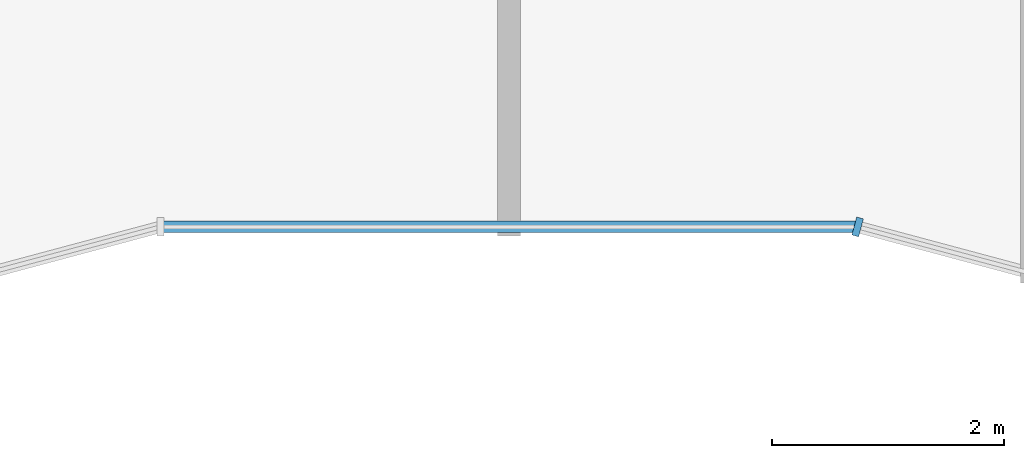
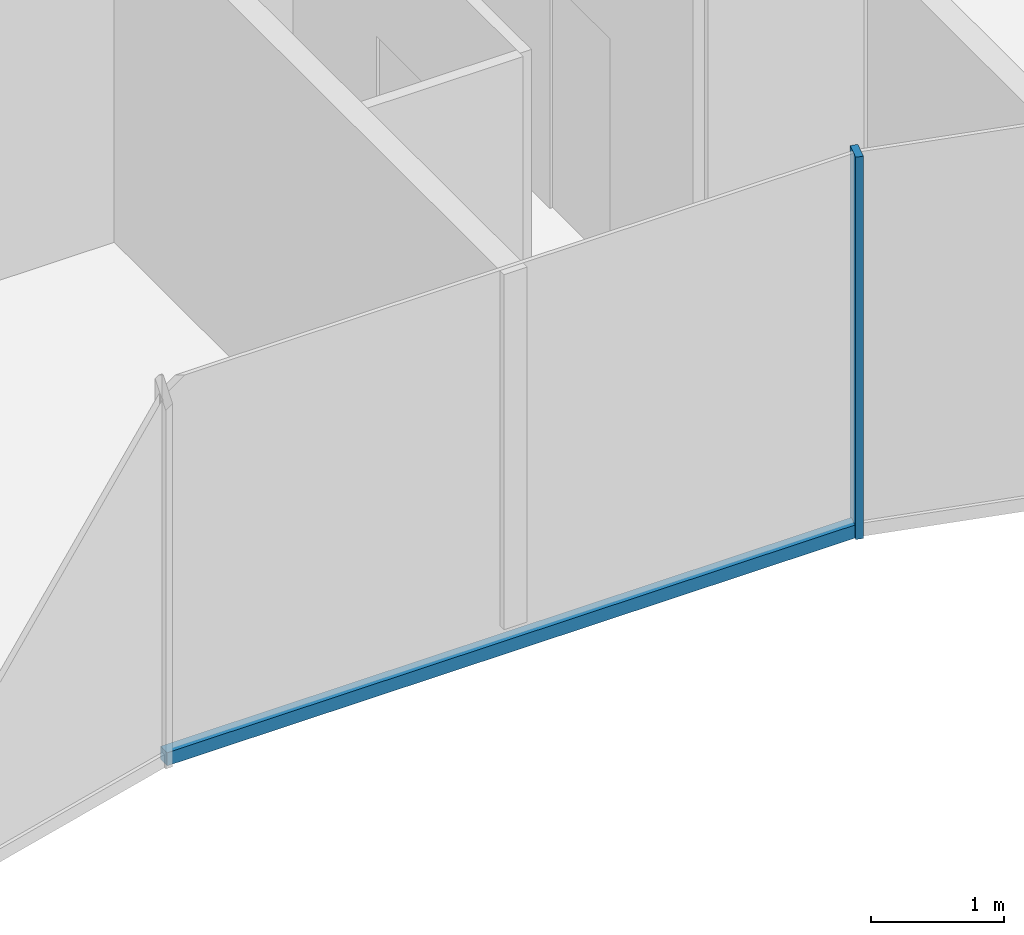
# One storey, part 3 of 10: 2 members, 2 elements without a shape of their own.
"""IFC4 building model written with IfcOpenShell, lengths in metres."""

import ifcopenshell
import ifcopenshell.guid

model = None  # the IFC model being written
_history = None  # IfcOwnerHistory: only IFC2X3 demands one
_inside = {}  # id of a spatial element -> (the spatial element, [elements in it])
_under = {}  # id of a project, library or spatial element -> (it, [spatial elements below it])
_declared = {}  # id of a project -> (the project, [libraries it declares])
_typed = {}  # id of a type object -> (the type object, [elements of that type])
_made_of = {}  # id of a material, layer set ... -> (it, [elements and type objects made of it])


def new_model(schema):
    """Start an empty IFC model of exactly this schema.

    Asked for "IFC4X3", IfcOpenShell would pick the latest addendum, in which some entities
    have other attributes; the version numbers below select the first issue.
    IFC2X3 requires an IfcOwnerHistory on every rooted entity: one is made here for all.
    """
    global model, _history
    if schema == "IFC4X3":
        model = ifcopenshell.file(schema_version=(4, 3, 0, 0))
    else:
        model = ifcopenshell.file(schema=schema)
    _inside.clear()
    _under.clear()
    _declared.clear()
    _typed.clear()
    _made_of.clear()
    _history = None
    if model.schema == "IFC2X3":
        org = make("IfcOrganization", Name="unknown")
        user = make(
            "IfcPersonAndOrganization",
            ThePerson=make("IfcPerson", FamilyName="unknown"),
            TheOrganization=org,
        )
        app = make(
            "IfcApplication",
            ApplicationDeveloper=org,
            Version="unknown",
            ApplicationFullName="unknown",
            ApplicationIdentifier="unknown",
        )
        _history = make(
            "IfcOwnerHistory",
            OwningUser=user,
            OwningApplication=app,
            ChangeAction="ADDED",
            CreationDate=0,
        )
    return model


def make(cls, **values):
    """One entity of the class cls with the attributes given. An attribute that is None is left unset."""
    return model.create_entity(
        cls, **{name: value for name, value in values.items() if value is not None}
    )


def rooted(cls, **values):
    """An entity with a GlobalId (a new one), such as an element, a storey or a relation."""
    return make(cls, GlobalId=ifcopenshell.guid.new(), OwnerHistory=_history, **values)


def si_unit(unit_type, name, prefix=None):
    """IfcSIUnit, for example si_unit("LENGTHUNIT", "METRE", prefix="MILLI")."""
    return make("IfcSIUnit", UnitType=unit_type, Prefix=prefix, Name=name)


def assignment(units):
    """IfcUnitAssignment: the units of a project."""
    return None if units is None else make("IfcUnitAssignment", Units=units)


def point(xyz):
    """IfcCartesianPoint."""
    return None if xyz is None else make("IfcCartesianPoint", Coordinates=xyz)


def direction(xyz):
    """IfcDirection."""
    return None if xyz is None else make("IfcDirection", DirectionRatios=xyz)


def frame(location, z_axis=None, x_axis=None):
    """IfcAxis2Placement3D, a coordinate frame: its origin and axes. An axis left out is left unset."""
    return make(
        "IfcAxis2Placement3D",
        Location=point(location),
        Axis=direction(z_axis),
        RefDirection=direction(x_axis),
    )


def frame_2d(location, x_axis=None):
    """IfcAxis2Placement2D, a coordinate frame in the plane: its origin and x axis."""
    return make(
        "IfcAxis2Placement2D", Location=point(location), RefDirection=direction(x_axis)
    )


def origin():
    """The frame at (0, 0, 0) with its axes left unset."""
    return frame((0.0, 0.0, 0.0))


def origin_2d():
    """The frame at (0, 0) in the plane with its x axis left unset."""
    return frame_2d((0.0, 0.0))


def place(relative_to, where):
    """IfcLocalPlacement: puts the frame where relative to a parent placement (None: the world)."""
    return make(
        "IfcLocalPlacement", PlacementRelTo=relative_to, RelativePlacement=where
    )


def context(
    kind, dimensions, precision=None, world=None, true_north=None, identifier=None
):
    """IfcGeometricRepresentationContext, for example the 3D "Model" context."""
    return make(
        "IfcGeometricRepresentationContext",
        ContextIdentifier=identifier,
        ContextType=kind,
        CoordinateSpaceDimension=dimensions,
        Precision=precision,
        WorldCoordinateSystem=world,
        TrueNorth=true_north,
    )


def subcontext(parent, identifier, kind, view, scale=None):
    """IfcGeometricRepresentationSubContext, for example "Body" below "Model"."""
    return make(
        "IfcGeometricRepresentationSubContext",
        ContextIdentifier=identifier,
        ContextType=kind,
        ParentContext=parent,
        TargetScale=scale,
        TargetView=view,
    )


def project(units=None, contexts=None):
    """IfcProject with its units and contexts."""
    return rooted(
        "IfcProject",
        Name="project",
        RepresentationContexts=contexts,
        UnitsInContext=assignment(units),
    )


def spatial(cls, under=None, at=None, **own):
    """A site, building, storey or space (cls), placed at a placement, below another one or the project."""
    s = rooted(cls, ObjectPlacement=at, **own)
    if under is not None:
        _under.setdefault(under.id(), (under, []))[1].append(s)
    return s


def profile(cls, at=None, kind="AREA", **sizes):
    """A parametric profile (cls). Its sizes go by their IFC names, for example OverallWidth=200.0."""
    return make(cls, ProfileType=kind, Position=at, **sizes)


def rectangle(**sizes):
    """IfcRectangleProfileDef."""
    return profile("IfcRectangleProfileDef", **sizes)


def extrude(swept, where, along, depth):
    """IfcExtrudedAreaSolid: the profile swept, set in the frame where, extruded along a direction by depth."""
    return make(
        "IfcExtrudedAreaSolid",
        SweptArea=swept,
        Position=where,
        ExtrudedDirection=direction(along),
        Depth=depth,
    )


def shape(context_of_items, identifier, shape_type, items):
    """IfcShapeRepresentation: the items that make up one representation, for example the "Body"."""
    return make(
        "IfcShapeRepresentation",
        ContextOfItems=context_of_items,
        RepresentationIdentifier=identifier,
        RepresentationType=shape_type,
        Items=items,
    )


def material(Name=None, Category=None):
    """IfcMaterial."""
    return make("IfcMaterial", Name=Name, Category=Category)


def layer(
    of_material, thickness, ventilated=None, Name=None, Category=None, Priority=None
):
    """IfcMaterialLayer: one layer of a wall or slab, of a material (None: an air gap)."""
    return make(
        "IfcMaterialLayer",
        Material=of_material,
        LayerThickness=thickness,
        IsVentilated=ventilated,
        Name=Name,
        Category=Category,
        Priority=Priority,
    )


def layer_set(layers, Name=None):
    """IfcMaterialLayerSet."""
    return make("IfcMaterialLayerSet", MaterialLayers=layers, LayerSetName=Name)


def material_profile(
    of_material, cross_section, Name=None, Category=None, Priority=None
):
    """IfcMaterialProfile: a cross section and its material."""
    return make(
        "IfcMaterialProfile",
        Name=Name,
        Material=of_material,
        Profile=cross_section,
        Priority=Priority,
        Category=Category,
    )


def profile_set(profiles, Name=None, composite=None):
    """IfcMaterialProfileSet."""
    return make(
        "IfcMaterialProfileSet",
        Name=Name,
        MaterialProfiles=profiles,
        CompositeProfile=composite,
    )


def made_of(thing, what):
    """Note that an element or type object is made of a material, layer set ...; save() writes the relation."""
    if what is not None:
        _made_of.setdefault(what.id(), (what, []))[1].append(thing)
    return thing


def type_object(cls, material=None, **own):
    """A type object (cls), such as IfcWallType, which elements share."""
    return made_of(rooted(cls, **own), material)


def element(
    cls,
    number,
    at=None,
    inside=None,
    cuts=None,
    type_object=None,
    material=None,
    context=None,
    identifier="Body",
    shape_type=None,
    held_by="IfcProductDefinitionShape",
    body=None,
    shapes=None,
    **own,
):
    """One element of the class cls, such as IfcWall. Its Tag is "e" and its number.

    at: its placement. inside: the storey or other place that contains it. cuts: it is an
    opening in that element (IfcRelVoidsElement). A single representation is given by context,
    identifier, shape_type and body (its items); several are given by shapes. held_by: the class
    of the entity that holds the representations. save() writes the other relations.
    """
    e = rooted(cls, Tag="e%d" % number, ObjectPlacement=at, **own)
    if body is not None:
        shapes = [shape(context, identifier, shape_type, body)]
    if shapes is not None:
        e.Representation = make(held_by, Representations=shapes)
    if inside is not None:
        _inside.setdefault(inside.id(), (inside, []))[1].append(e)
    if cuts is not None:
        rooted(
            "IfcRelVoidsElement", RelatingBuildingElement=cuts, RelatedOpeningElement=e
        )
    if type_object is not None:
        _typed.setdefault(type_object.id(), (type_object, []))[1].append(e)
    return made_of(e, material)


def aggregate(whole, parts):
    """IfcRelAggregates: a whole, such as a stair, and the parts it consists of."""
    return rooted("IfcRelAggregates", RelatingObject=whole, RelatedObjects=parts)


def save(model, path):
    """Write the relations noted so far, then the file.

    IfcRelAggregates (storeys below a building ...), IfcRelContainedInSpatialStructure (elements
    in a storey), IfcRelDefinesByType, IfcRelAssociatesMaterial and IfcRelDeclares: one each for
    every whole, place, type object, material and project.
    """
    for whole, parts in _under.values():
        aggregate(whole, parts)
    for where, things in _inside.values():
        rooted(
            "IfcRelContainedInSpatialStructure",
            RelatedElements=things,
            RelatingStructure=where,
        )
    for kind, things in _typed.values():
        rooted("IfcRelDefinesByType", RelatedObjects=things, RelatingType=kind)
    for what, things in _made_of.values():
        rooted("IfcRelAssociatesMaterial", RelatedObjects=things, RelatingMaterial=what)
    for by, libraries in _declared.values():
        rooted("IfcRelDeclares", RelatingContext=by, RelatedDefinitions=libraries)
    model.write(path)


model = new_model("IFC4")

# Units and contexts
model_context = context("Model", 3, precision=1e-05, world=origin(), true_north=direction((0.0, 1.0)))
body_context = subcontext(model_context, "Body", "Model", "MODEL_VIEW")
ifc_project = project(units=[si_unit("LENGTHUNIT", "METRE"), si_unit("AREAUNIT", "SQUARE_METRE"), si_unit("VOLUMEUNIT", "CUBIC_METRE"), si_unit("PLANEANGLEUNIT", "RADIAN"), si_unit("MASSUNIT", "GRAM", prefix="KILO")], contexts=[model_context])

# Site, building, storey
site_placement = place(None, origin())
site = spatial("IfcSite", under=ifc_project, at=site_placement, CompositionType="ELEMENT")
building_placement = place(site_placement, origin())
building = spatial("IfcBuilding", under=site, at=building_placement, Name="Plateau Cross Towers", CompositionType="ELEMENT")
storey_placement = place(building_placement, frame((0.0, 0.0, 273.89990234375)))
storey = spatial("IfcBuildingStorey", under=building, at=storey_placement, Name="L72", CompositionType="ELEMENT", Elevation=273.89990234375)

# Curtain wall, member
ifc_material_1 = material(Name="Dark low-iron glass", Category="glass")
ifc_layer = layer(ifc_material_1, 0.260009765625)
ifc_layer_set = layer_set([ifc_layer], Name="Dark low-iron glass")
curtain_wall_type = type_object("IfcCurtainWallType", Name="Curtain wall fluted unitised CW-A", PredefinedType="NOTDEFINED", material=ifc_layer_set)
curtain_wall_1_placement = place(storey_placement, origin())
curtain_wall_1 = element("IfcCurtainWall", 1, at=curtain_wall_1_placement, inside=storey, type_object=curtain_wall_type, Name="ENV/A/L72/A300_16", PredefinedType="NOTDEFINED")
ifc_material_2 = material(Name="Black anodised aluminium", Category="aluminium")
ifc_material_profile_1 = material_profile(ifc_material_2, rectangle(XDim=0.06005859375, YDim=0.159912109375, at=origin_2d()), Name="MULLION 60x160")
ifc_profile_set_1 = profile_set([ifc_material_profile_1], Name="Black anodised aluminium")
member_type_1 = type_object("IfcMemberType", Name="Mullion 60x160 fluted unitised", PredefinedType="MULLION", material=ifc_profile_set_1)
member_1_placement = place(storey_placement, frame((30.0, 1.60693359375, -0.25), z_axis=(0.0, 0.0, 1.0), x_axis=(0.965957983404, -0.258699003279, 0.0)))
member_1 = element("IfcMember", 2, at=member_1_placement, type_object=member_type_1, Name="CW-A mullion 1", PredefinedType="MULLION", context=body_context, shape_type="SweptSolid", body=[
    extrude(rectangle(XDim=0.06005859375, YDim=0.159912109375, at=origin_2d()), origin(), (0.0, 0.0, 1.0), 3.5),
])
aggregate(curtain_wall_1, [member_1])

curtain_wall_2_placement = place(storey_placement, origin())
curtain_wall_2 = element("IfcCurtainWall", 3, at=curtain_wall_2_placement, inside=storey, type_object=curtain_wall_type, Name="ENV/A/L72/A240_16", PredefinedType="NOTDEFINED")
ifc_material_profile_2 = material_profile(ifc_material_2, rectangle(XDim=0.10009765625, YDim=0.1201171875, at=origin_2d()), Name="TRANSOM 100x120")
ifc_profile_set_2 = profile_set([ifc_material_profile_2], Name="Black anodised aluminium")
member_type_2 = type_object("IfcMemberType", Name="Transom 100x120 fluted unitised", PredefinedType="USERDEFINED", material=ifc_profile_set_2)
member_2_placement = place(storey_placement, frame((24.0, 1.60693359375, -0.18994140625), z_axis=(1.0, 0.0, 0.0), x_axis=(0.0, 1.0, 0.0)))
member_2 = element("IfcMember", 4, at=member_2_placement, type_object=member_type_2, Name="CW-A transom", ObjectType="TRANSOM", PredefinedType="USERDEFINED", context=body_context, shape_type="SweptSolid", body=[
    extrude(rectangle(XDim=0.10009765625, YDim=0.1201171875, at=origin_2d()), origin(), (0.0, 0.0, 1.0), 6.0),
])
aggregate(curtain_wall_2, [member_2])

save(model, "model.ifc")
